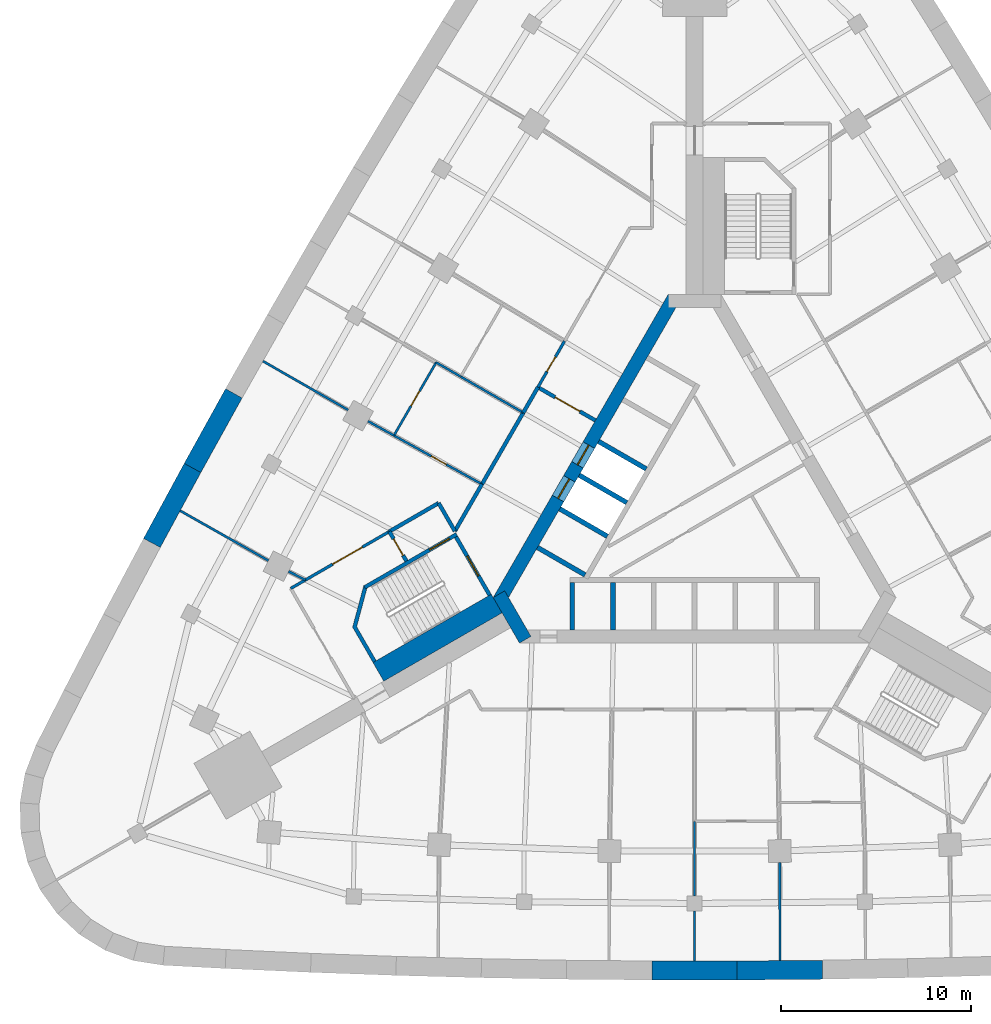
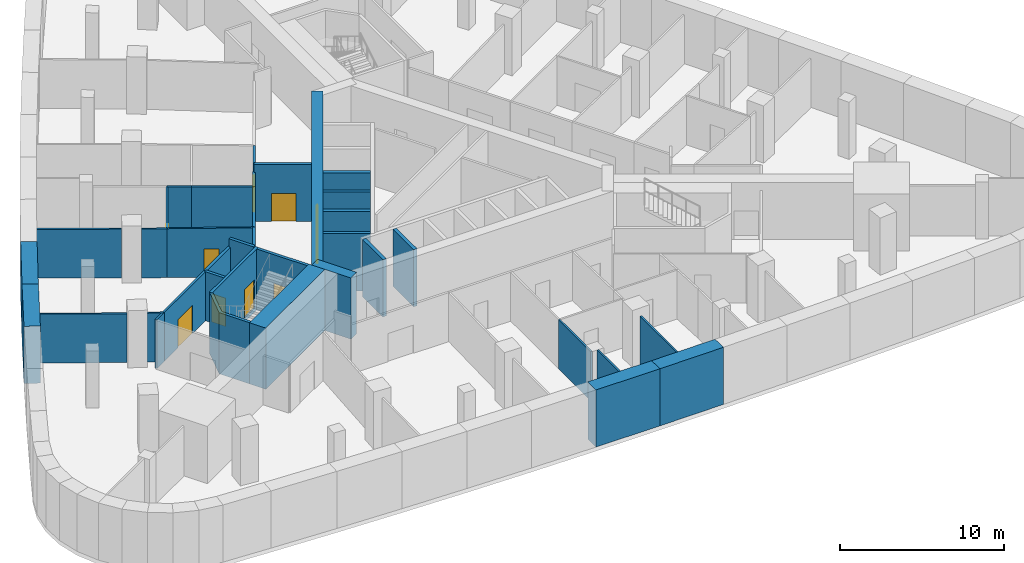
# One storey, part 4 of 9: 37 walls, 10 doors, 10 openings.
"""IFC4 building model written with IfcOpenShell, lengths in metres."""

from ifc_helpers import new_model, si_unit, direction, frame, frame_2d, origin, place, context, subcontext, project, spatial, polyline, rectangle, outline, extrude, material, layer, layer_set, type_object, element, fill, save


model = new_model("IFC4")

# Units and contexts
model_context = context("Model", 3, precision=1e-05, world=origin(), true_north=direction((0.0, 1.0)))
body_context = subcontext(model_context, "Body", "Model", "MODEL_VIEW")
ifc_project = project(units=[si_unit("LENGTHUNIT", "METRE"), si_unit("AREAUNIT", "SQUARE_METRE"), si_unit("VOLUMEUNIT", "CUBIC_METRE"), si_unit("PLANEANGLEUNIT", "RADIAN"), si_unit("MASSUNIT", "GRAM", prefix="KILO")], contexts=[model_context])

# Site, building, storey
site_placement = place(None, origin())
site = spatial("IfcSite", under=ifc_project, at=site_placement, CompositionType="ELEMENT")
building_placement = place(site_placement, origin())
building = spatial("IfcBuilding", under=site, at=building_placement, Name="Noor Cloister Tower", CompositionType="ELEMENT")
storey_placement = place(building_placement, frame((0.0, 0.0, -4.5)))
storey = spatial("IfcBuildingStorey", under=building, at=storey_placement, Name="B1", CompositionType="ELEMENT", Elevation=-4.5)

# Wall, openings, doors
ifc_material_1 = material(Name="Concrete C80/95", Category="concrete")
ifc_layer_1 = layer(ifc_material_1, 0.699951171875)
ifc_layer_set_1 = layer_set([ifc_layer_1], Name="Core wall 700 C80/95")
wall_type_1 = type_object("IfcWallType", Name="Core wall 700 C80/95", PredefinedType="SHEAR", material=ifc_layer_set_1)
wall_1_placement = place(storey_placement, frame((-1.08251953125, 11.281494140625, -0.300048828125), z_axis=(0.0, 0.0, 1.0), x_axis=(-0.500001446645, -0.866024568562, 0.0)))
wall_1 = element("IfcWall", 1, at=wall_1_placement, inside=storey, type_object=wall_type_1, Name="Core wall B1 5", PredefinedType="SHEAR", context=body_context, shape_type="SweptSolid", body=[
    extrude(rectangle(XDim=18.45751953125, YDim=0.699951171875, at=frame_2d((9.228759765625, 0.0))), origin(), (0.0, 0.0, 1.0), 4.550048828125),
])
opening_1_placement = place(wall_1_placement, frame((8.978759765625, 0.0, 0.300048828125)))
opening_1 = element("IfcOpeningElement", 2, at=opening_1_placement, cuts=wall_1, Name="Opening B1-FF1", PredefinedType="OPENING", context=body_context, shape_type="SweptSolid", body=[
    extrude(rectangle(XDim=1.199951171875, YDim=2.10009765625, at=frame_2d((0.60009765625, 1.050048828125))), frame((0.0, 0.35986328125, 0.0), z_axis=(0.0, -1.0, 0.0), x_axis=(1.0, 0.0, 0.0)), (0.0, 0.0, 1.0), 0.719970703125),
])
opening_2_placement = place(wall_1_placement, frame((11.02880859375, 0.0, 0.300048828125)))
opening_2 = element("IfcOpeningElement", 3, at=opening_2_placement, cuts=wall_1, Name="Opening B1-FF2", PredefinedType="OPENING", context=body_context, shape_type="SweptSolid", body=[
    extrude(rectangle(XDim=1.199951171875, YDim=2.10009765625, at=frame_2d((0.60009765625, 1.050048828125))), frame((0.0, 0.35986328125, 0.0), z_axis=(0.0, -1.0, 0.0), x_axis=(1.0, 0.0, 0.0)), (0.0, 0.0, 1.0), 0.719970703125),
])
ifc_material_2 = material(Name="Stainless steel", Category="steel")
door_type_1 = type_object("IfcDoorType", Name="Lift landing door 1200 x 2100", OperationType="DOUBLE_DOOR_SLIDING", PredefinedType="DOOR", material=ifc_material_2)
door_1_placement = place(opening_1_placement, origin())
door_1 = element("IfcDoor", 4, at=door_1_placement, inside=storey, type_object=door_type_1, Name="Landing door FF1 B1", OperationType="DOUBLE_DOOR_SLIDING", OverallHeight=2.10009765625, OverallWidth=1.199951171875, PredefinedType="DOOR", context=body_context, shape_type="SweptSolid", body=[
    extrude(rectangle(XDim=1.199951171875, YDim=2.10009765625, at=frame_2d((0.60009765625, 1.050048828125))), frame((0.0, 0.02490234375, 0.0), z_axis=(0.0, -1.0, 0.0), x_axis=(1.0, 0.0, 0.0)), (0.0, 0.0, 1.0), 0.050048828125),
])
fill(opening_1, door_1)
door_2_placement = place(opening_2_placement, origin())
door_2 = element("IfcDoor", 5, at=door_2_placement, inside=storey, type_object=door_type_1, Name="Landing door FF2 B1", OperationType="DOUBLE_DOOR_SLIDING", OverallHeight=2.10009765625, OverallWidth=1.199951171875, PredefinedType="DOOR", context=body_context, shape_type="SweptSolid", body=[
    extrude(rectangle(XDim=1.199951171875, YDim=2.10009765625, at=frame_2d((0.60009765625, 1.050048828125))), frame((0.0, 0.02490234375, 0.0), z_axis=(0.0, -1.0, 0.0), x_axis=(1.0, 0.0, 0.0)), (0.0, 0.0, 1.0), 0.050048828125),
])
fill(opening_2, door_2)

# Walls
wall_2_placement = place(storey_placement, frame((-10.311279296875, -4.353271484375, -0.300048828125), z_axis=(0.0, 0.0, 1.0), x_axis=(0.500042739161, -0.866000726912, 0.0)))
element("IfcWall", 6, at=wall_2_placement, inside=storey, type_object=wall_type_1, Name="Core wall B1 6", PredefinedType="SHEAR", context=body_context, shape_type="SweptSolid", body=[
    extrude(rectangle(XDim=2.771240234375, YDim=0.699951171875, at=frame_2d((1.3857421875, 0.0))), origin(), (0.0, 0.0, 1.0), 4.550048828125),
])
ifc_material_3 = material(Name="Plasterboard on steel studs", Category="steel")
ifc_layer_2 = layer(ifc_material_3, 0.14990234375)
ifc_layer_set_2 = layer_set([ifc_layer_2], Name="Corridor wall 150")
wall_type_2 = type_object("IfcWallType", Name="Corridor wall 150", PredefinedType="PARTITIONING", material=ifc_layer_set_2)
wall_3_placement = place(storey_placement, frame((-21.282958984375, -4.048095703125, 0.0), z_axis=(0.0, 0.0, 1.0), x_axis=(0.865804825377, 0.500381858538, 0.0)))
element("IfcWall", 7, at=wall_3_placement, inside=storey, type_object=wall_type_2, Name="Partition", PredefinedType="PARTITIONING", context=body_context, shape_type="SweptSolid", body=[
    extrude(rectangle(XDim=0.897216796875, YDim=0.14990234375, at=frame_2d((0.44873046875, 0.0))), origin(), (0.0, 0.0, 1.0), 3.637939453125),
])

# Wall, opening, door
wall_4_placement = place(storey_placement, frame((-16.0869140625, -1.049072265625, 0.0), z_axis=(0.0, 0.0, 1.0), x_axis=(-0.866071706002, -0.49991979363, 0.0)))
wall_4 = element("IfcWall", 8, at=wall_4_placement, inside=storey, type_object=wall_type_2, Name="Partition", PredefinedType="PARTITIONING", context=body_context, shape_type="SweptSolid", body=[
    extrude(rectangle(XDim=5.104736328125, YDim=0.14990234375, at=frame_2d((2.55224609375, 0.0))), origin(), (0.0, 0.0, 1.0), 3.637939453125),
])
opening_3_placement = place(wall_4_placement, frame((1.64990234375, 0.0, 0.0)))
opening_3 = element("IfcOpeningElement", 9, at=opening_3_placement, cuts=wall_4, Name="Opening B1-014", PredefinedType="OPENING", context=body_context, shape_type="SweptSolid", body=[
    extrude(rectangle(XDim=1.800048828125, YDim=2.10009765625, at=frame_2d((0.89990234375, 1.050048828125))), frame((0.0, 0.0849609375, 0.0), z_axis=(0.0, -1.0, 0.0), x_axis=(1.0, 0.0, 0.0)), (0.0, 0.0, 1.0), 0.169921875),
])
ifc_material_4 = material(Name="Timber door leaf", Category="wood")
door_type_2 = type_object("IfcDoorType", Name="Double leaf door 1800", OperationType="DOUBLE_DOOR_SINGLE_SWING", PredefinedType="DOOR", material=ifc_material_4)
door_3_placement = place(opening_3_placement, origin())
door_3 = element("IfcDoor", 10, at=door_3_placement, inside=storey, type_object=door_type_2, Name="Door B1-014", OperationType="DOUBLE_DOOR_SINGLE_SWING", OverallHeight=2.10009765625, OverallWidth=1.800048828125, PredefinedType="DOOR", context=body_context, shape_type="SweptSolid", body=[
    extrude(rectangle(XDim=1.800048828125, YDim=2.10009765625, at=frame_2d((0.89990234375, 1.050048828125))), frame((0.0, 0.02490234375, 0.0), z_axis=(0.0, -1.0, 0.0), x_axis=(1.0, 0.0, 0.0)), (0.0, 0.0, 1.0), 0.050048828125),
])
fill(opening_3, door_3)

wall_5_placement = place(storey_placement, frame((-8.256103515625, 6.55810546875, 0.0), z_axis=(0.0, 0.0, 1.0), x_axis=(0.500081734942, 0.86597820895, 0.0)))
wall_5 = element("IfcWall", 11, at=wall_5_placement, inside=storey, type_object=wall_type_2, Name="Partition", PredefinedType="PARTITIONING", context=body_context, shape_type="SweptSolid", body=[
    extrude(rectangle(XDim=2.8037109375, YDim=0.14990234375, at=frame_2d((1.40185546875, 0.0))), origin(), (0.0, 0.0, 1.0), 3.637939453125),
])
opening_4_placement = place(wall_5_placement, frame((0.949951171875, 0.0, 0.0)))
opening_4 = element("IfcOpeningElement", 12, at=opening_4_placement, cuts=wall_5, Name="Opening B1-019", PredefinedType="OPENING", context=body_context, shape_type="SweptSolid", body=[
    extrude(rectangle(XDim=0.89990234375, YDim=2.10009765625, at=frame_2d((0.449951171875, 1.050048828125))), frame((0.0, 0.0849609375, 0.0), z_axis=(0.0, -1.0, 0.0), x_axis=(1.0, 0.0, 0.0)), (0.0, 0.0, 1.0), 0.169921875),
])
ifc_material_5 = material(Name="Timber door leaf", Category="wood")
door_type_3 = type_object("IfcDoorType", Name="Service room door 900", OperationType="SINGLE_SWING_LEFT", PredefinedType="DOOR", material=ifc_material_5)
door_4_placement = place(opening_4_placement, origin())
door_4 = element("IfcDoor", 13, at=door_4_placement, inside=storey, type_object=door_type_3, Name="Door B1-019", OperationType="SINGLE_SWING_LEFT", OverallHeight=2.10009765625, OverallWidth=0.89990234375, PredefinedType="DOOR", context=body_context, shape_type="SweptSolid", body=[
    extrude(rectangle(XDim=0.89990234375, YDim=2.10009765625, at=frame_2d((0.449951171875, 1.050048828125))), frame((0.0, 0.02490234375, 0.0), z_axis=(0.0, -1.0, 0.0), x_axis=(1.0, 0.0, 0.0)), (0.0, 0.0, 1.0), 0.050048828125),
])
fill(opening_4, door_4)

# Walls
ifc_material_6 = material(Name="Concrete C50/60", Category="concrete")
ifc_layer_3 = layer(ifc_material_6, 1.0)
ifc_layer_set_3 = layer_set([ifc_layer_3], Name="Diaphragm wall 1000")
wall_type_3 = type_object("IfcWallType", Name="Diaphragm wall 1000", PredefinedType="SOLIDWALL", material=ifc_layer_set_3)
wall_6_placement = place(storey_placement, origin())
element("IfcWall", 14, at=wall_6_placement, inside=storey, type_object=wall_type_3, Name="Basement wall 19", PredefinedType="SOLIDWALL", context=body_context, shape_type="SweptSolid", body=[
    extrude(outline(polyline([(-24.72119140625, 6.478759765625), (-26.900634765625, 2.541748046875), (-26.023681640625, 2.0615234375), (-23.848388671875, 5.990478515625), (-24.72119140625, 6.478759765625)])), origin(), (0.0, 0.0, 1.0), 4.25),
])
wall_7_placement = place(storey_placement, origin())
element("IfcWall", 15, at=wall_7_placement, inside=storey, type_object=wall_type_3, Name="Basement wall 20", PredefinedType="SOLIDWALL", context=body_context, shape_type="SweptSolid", body=[
    extrude(outline(polyline([(-26.900634765625, 2.541748046875), (-29.044921875, -1.41455078125), (-28.16357421875, -1.886962890625), (-26.023681640625, 2.0615234375), (-26.900634765625, 2.541748046875)])), origin(), (0.0, 0.0, 1.0), 4.25),
])
wall_8_placement = place(storey_placement, origin())
element("IfcWall", 16, at=wall_8_placement, inside=storey, type_object=wall_type_3, Name="Basement wall 40", PredefinedType="SOLIDWALL", context=body_context, shape_type="SweptSolid", body=[
    extrude(outline(polyline([(-2.25, -24.68896484375), (2.25, -24.68896484375), (2.24560546875, -23.68896484375), (-2.24560546875, -23.68896484375), (-2.25, -24.68896484375)])), origin(), (0.0, 0.0, 1.0), 4.25),
])
wall_9_placement = place(storey_placement, origin())
element("IfcWall", 17, at=wall_9_placement, inside=storey, type_object=wall_type_3, Name="Basement wall 41", PredefinedType="SOLIDWALL", context=body_context, shape_type="SweptSolid", body=[
    extrude(outline(polyline([(2.25, -24.68896484375), (6.749755859375, -24.6484375), (6.736328125, -23.648681640625), (2.24560546875, -23.68896484375), (2.25, -24.68896484375)])), origin(), (0.0, 0.0, 1.0), 4.25),
])

# Wall, opening, door
ifc_material_7 = material(Name="Reinforced blockwork", Category="masonry")
ifc_layer_4 = layer(ifc_material_7, 0.199951171875)
ifc_layer_set_4 = layer_set([ifc_layer_4], Name="Fire rated block wall 200")
wall_type_4 = type_object("IfcWallType", Name="Fire rated block wall 200", PredefinedType="PARTITIONING", material=ifc_layer_set_4)
wall_10_placement = place(storey_placement, frame((-15.18798828125, -2.60693359375, 0.0), z_axis=(0.0, 0.0, 1.0), x_axis=(-0.500024172624, 0.866011447264, 0.0)))
wall_10 = element("IfcWall", 18, at=wall_10_placement, inside=storey, type_object=wall_type_4, Name="Fire rated wall", PredefinedType="PARTITIONING", context=body_context, shape_type="SweptSolid", body=[
    extrude(rectangle(XDim=1.7978515625, YDim=0.199951171875, at=frame_2d((0.89892578125, 0.0))), origin(), (0.0, 0.0, 1.0), 3.637939453125),
])
opening_5_placement = place(wall_10_placement, frame((0.35009765625, 0.0, 0.0)))
opening_5 = element("IfcOpeningElement", 19, at=opening_5_placement, cuts=wall_10, Name="Opening B1-027", PredefinedType="OPENING", context=body_context, shape_type="SweptSolid", body=[
    extrude(rectangle(XDim=1.0, YDim=2.10009765625, at=frame_2d((0.5, 1.050048828125))), frame((0.0, 0.10986328125, 0.0), z_axis=(0.0, -1.0, 0.0), x_axis=(1.0, 0.0, 0.0)), (0.0, 0.0, 1.0), 0.219970703125),
])
ifc_material_8 = material(Name="Steel fire door", Category="steel")
door_type_4 = type_object("IfcDoorType", Name="Fire door FD60 1000", OperationType="SINGLE_SWING_LEFT", PredefinedType="DOOR", material=ifc_material_8)
door_5_placement = place(opening_5_placement, origin())
door_5 = element("IfcDoor", 20, at=door_5_placement, inside=storey, type_object=door_type_4, Name="Door B1-027", OperationType="SINGLE_SWING_LEFT", OverallHeight=2.10009765625, OverallWidth=1.0, PredefinedType="DOOR", context=body_context, shape_type="SweptSolid", body=[
    extrude(rectangle(XDim=1.0, YDim=2.10009765625, at=frame_2d((0.5, 1.050048828125))), frame((0.0, 0.02490234375, 0.0), z_axis=(0.0, -1.0, 0.0), x_axis=(1.0, 0.0, 0.0)), (0.0, 0.0, 1.0), 0.050048828125),
])
fill(opening_5, door_5)

# Walls
wall_11_placement = place(storey_placement, frame((-16.0869140625, -1.048095703125, 0.0), z_axis=(0.0, 0.0, 1.0), x_axis=(0.865988915629, 0.500063194015, 0.0)))
element("IfcWall", 21, at=wall_11_placement, inside=storey, type_object=wall_type_4, Name="Fire rated wall", PredefinedType="PARTITIONING", context=body_context, shape_type="SweptSolid", body=[
    extrude(rectangle(XDim=2.99755859375, YDim=0.199951171875, at=frame_2d((1.498779296875, 0.0))), origin(), (0.0, 0.0, 1.0), 3.637939453125),
])
wall_12_placement = place(storey_placement, frame((-13.489013671875, 0.450927734375, 0.0), z_axis=(0.0, 0.0, 1.0), x_axis=(0.500044178772, -0.865999895656, 0.0)))
element("IfcWall", 22, at=wall_12_placement, inside=storey, type_object=wall_type_4, Name="Fire rated wall", PredefinedType="PARTITIONING", context=body_context, shape_type="SweptSolid", body=[
    extrude(rectangle(XDim=1.707763671875, YDim=0.199951171875, at=frame_2d((0.85400390625, 0.0))), origin(), (0.0, 0.0, 1.0), 4.25),
])
wall_13_placement = place(storey_placement, frame((-12.635009765625, -1.028076171875, 0.0), z_axis=(0.0, 0.0, 1.0), x_axis=(0.50005725472, 0.865992345233, 0.0)))
element("IfcWall", 23, at=wall_13_placement, inside=storey, type_object=wall_type_4, Name="Fire rated wall", PredefinedType="PARTITIONING", context=body_context, shape_type="SweptSolid", body=[
    extrude(rectangle(XDim=2.861572265625, YDim=0.199951171875, at=frame_2d((1.4306640625, 0.0))), origin(), (0.0, 0.0, 1.0), 3.637939453125),
])
wall_14_placement = place(storey_placement, frame((-9.031005859375, 5.212890625, 0.0), z_axis=(0.0, 0.0, 1.0), x_axis=(-0.500044734646, -0.865999574684, 0.0)))
element("IfcWall", 24, at=wall_14_placement, inside=storey, type_object=wall_type_4, Name="Fire rated wall", PredefinedType="PARTITIONING", context=body_context, shape_type="SweptSolid", body=[
    extrude(rectangle(XDim=4.349609375, YDim=0.199951171875, at=frame_2d((2.1748046875, 0.0))), origin(), (0.0, 0.0, 1.0), 3.637939453125),
])
wall_15_placement = place(storey_placement, frame((-8.256103515625, 6.554931640625, 0.0), z_axis=(0.0, 0.0, 1.0), x_axis=(-0.500177701192, -0.865922783642, 0.0)))
element("IfcWall", 25, at=wall_15_placement, inside=storey, type_object=wall_type_4, Name="Fire rated wall", PredefinedType="PARTITIONING", context=body_context, shape_type="SweptSolid", body=[
    extrude(rectangle(XDim=1.54736328125, YDim=0.199951171875, at=frame_2d((0.773681640625, 0.0))), origin(), (0.0, 0.0, 1.0), 3.637939453125),
])

# Wall, opening, door
wall_16_placement = place(storey_placement, frame((-5.22607421875, 4.805908203125, 0.0), z_axis=(0.0, 0.0, 1.0), x_axis=(-0.865949687125, 0.500131122175, 0.0)))
wall_16 = element("IfcWall", 26, at=wall_16_placement, inside=storey, type_object=wall_type_4, Name="Fire rated wall", PredefinedType="PARTITIONING", context=body_context, shape_type="SweptSolid", body=[
    extrude(rectangle(XDim=3.4990234375, YDim=0.199951171875, at=frame_2d((1.74951171875, 0.0))), origin(), (0.0, 0.0, 1.0), 4.25),
])
opening_6_placement = place(wall_16_placement, frame((0.949951171875, 0.0, 0.0)))
opening_6 = element("IfcOpeningElement", 27, at=opening_6_placement, cuts=wall_16, Name="Opening B1-028", PredefinedType="OPENING", context=body_context, shape_type="SweptSolid", body=[
    extrude(rectangle(XDim=1.5, YDim=2.10009765625, at=frame_2d((0.75, 1.050048828125))), frame((0.0, 0.10986328125, 0.0), z_axis=(0.0, -1.0, 0.0), x_axis=(1.0, 0.0, 0.0)), (0.0, 0.0, 1.0), 0.219970703125),
])
ifc_material_9 = material(Name="Steel fire door", Category="steel")
door_type_5 = type_object("IfcDoorType", Name="Smoke barrier door FD60 1500", OperationType="DOUBLE_DOOR_SINGLE_SWING", PredefinedType="DOOR", material=ifc_material_9)
door_6_placement = place(opening_6_placement, origin())
door_6 = element("IfcDoor", 28, at=door_6_placement, inside=storey, type_object=door_type_5, Name="Door B1-028", OperationType="DOUBLE_DOOR_SINGLE_SWING", OverallHeight=2.10009765625, OverallWidth=1.5, PredefinedType="DOOR", context=body_context, shape_type="SweptSolid", body=[
    extrude(rectangle(XDim=1.5, YDim=2.10009765625, at=frame_2d((0.75, 1.050048828125))), frame((0.0, 0.02490234375, 0.0), z_axis=(0.0, -1.0, 0.0), x_axis=(1.0, 0.0, 0.0)), (0.0, 0.0, 1.0), 0.050048828125),
])
fill(opening_6, door_6)

# Walls
ifc_material_10 = material(Name="Plasterboard on steel studs", Category="steel")
ifc_layer_5 = layer(ifc_material_10, 0.1201171875)
ifc_layer_set_5 = layer_set([ifc_layer_5], Name="Partition wall 120")
wall_type_5 = type_object("IfcWallType", Name="Partition wall 120", PredefinedType="PARTITIONING", material=ifc_layer_set_5)
wall_17_placement = place(storey_placement, frame((4.506103515625, -23.6689453125, 0.0), z_axis=(0.0, 0.0, 1.0), x_axis=(-0.00292382622, 0.999995725611, 0.0)))
element("IfcWall", 29, at=wall_17_placement, inside=storey, type_object=wall_type_5, Name="Partition", PredefinedType="PARTITIONING", context=body_context, shape_type="SweptSolid", body=[
    extrude(rectangle(XDim=5.177001953125, YDim=0.1201171875, at=frame_2d((2.58837890625, 0.0))), origin(), (0.0, 0.0, 1.0), 3.633056640625),
])
wall_18_placement = place(storey_placement, frame((0.0, -21.056884765625, 0.0), z_axis=(0.0, 0.0, 1.0), x_axis=(0.0, -1.0, 0.0)))
element("IfcWall", 30, at=wall_18_placement, inside=storey, type_object=wall_type_5, Name="Partition", PredefinedType="PARTITIONING", context=body_context, shape_type="SweptSolid", body=[
    extrude(rectangle(XDim=2.632080078125, YDim=0.1201171875, at=frame_2d((1.31591796875, 0.0))), origin(), (0.0, 0.0, 1.0), 4.25),
])
wall_19_placement = place(storey_placement, frame((0.0, -16.323974609375, 0.0), z_axis=(0.0, 0.0, 1.0), x_axis=(0.0, -1.0, 0.0)))
element("IfcWall", 31, at=wall_19_placement, inside=storey, type_object=wall_type_5, Name="Partition", PredefinedType="PARTITIONING", context=body_context, shape_type="SweptSolid", body=[
    extrude(rectangle(XDim=3.93310546875, YDim=0.1201171875, at=frame_2d((1.966552734375, 0.0))), origin(), (0.0, 0.0, 1.0), 3.637939453125),
])
wall_20_placement = place(storey_placement, frame((-22.4609375, -2.583984375, 0.0), z_axis=(0.0, 0.0, 1.0), x_axis=(-0.87056283872, 0.492057256668, 0.0)))
element("IfcWall", 32, at=wall_20_placement, inside=storey, type_object=wall_type_5, Name="Partition", PredefinedType="PARTITIONING", context=body_context, shape_type="SweptSolid", body=[
    extrude(rectangle(XDim=5.34716796875, YDim=0.1201171875, at=frame_2d((2.673583984375, 0.0))), origin(), (0.0, 0.0, 1.0), 3.633056640625),
])
wall_21_placement = place(storey_placement, frame((-20.509033203125, -3.60107421875, 0.0), z_axis=(0.0, 0.0, 1.0), x_axis=(-0.892316605155, 0.451410097544, 0.0)))
element("IfcWall", 33, at=wall_21_placement, inside=storey, type_object=wall_type_5, Name="Partition", PredefinedType="PARTITIONING", context=body_context, shape_type="SweptSolid", body=[
    extrude(rectangle(XDim=0.99951171875, YDim=0.1201171875, at=frame_2d((0.499755859375, 0.0))), origin(), (0.0, 0.0, 1.0), 3.637939453125),
])

# Wall, opening, door
wall_22_placement = place(storey_placement, frame((-11.2080078125, 1.446044921875, 0.0), z_axis=(0.0, 0.0, 1.0), x_axis=(-0.875127041283, 0.483893233694, 0.0)))
wall_22 = element("IfcWall", 34, at=wall_22_placement, inside=storey, type_object=wall_type_5, Name="Partition", PredefinedType="PARTITIONING", context=body_context, shape_type="SweptSolid", body=[
    extrude(rectangle(XDim=5.298583984375, YDim=0.1201171875, at=frame_2d((2.6494140625, 0.0))), origin(), (0.0, 0.0, 1.0), 3.637939453125),
])
opening_7_placement = place(wall_22_placement, frame((2.14990234375, 0.0, 0.0)))
opening_7 = element("IfcOpeningElement", 35, at=opening_7_placement, cuts=wall_22, Name="Opening B1-016", PredefinedType="OPENING", context=body_context, shape_type="SweptSolid", body=[
    extrude(rectangle(XDim=0.89990234375, YDim=2.10009765625, at=frame_2d((0.449951171875, 1.050048828125))), frame((0.0, 0.070068359375, 0.0), z_axis=(0.0, -1.0, 0.0), x_axis=(1.0, 0.0, 0.0)), (0.0, 0.0, 1.0), 0.14013671875),
])
door_7_placement = place(opening_7_placement, origin())
door_7 = element("IfcDoor", 36, at=door_7_placement, inside=storey, type_object=door_type_3, Name="Door B1-016", OperationType="SINGLE_SWING_RIGHT", OverallHeight=2.10009765625, OverallWidth=0.89990234375, PredefinedType="DOOR", context=body_context, shape_type="SweptSolid", body=[
    extrude(rectangle(XDim=0.89990234375, YDim=2.10009765625, at=frame_2d((0.449951171875, 1.050048828125))), frame((0.0, 0.02490234375, 0.0), z_axis=(0.0, -1.0, 0.0), x_axis=(1.0, 0.0, 0.0)), (0.0, 0.0, 1.0), 0.050048828125),
])
fill(opening_7, door_7)

# Walls
wall_23_placement = place(storey_placement, frame((-18.260009765625, 5.35595703125, 0.0), z_axis=(0.0, 0.0, 1.0), x_axis=(-0.867438170848, 0.497544992695, 0.0)))
element("IfcWall", 37, at=wall_23_placement, inside=storey, type_object=wall_type_5, Name="Partition", PredefinedType="PARTITIONING", context=body_context, shape_type="SweptSolid", body=[
    extrude(rectangle(XDim=5.17724609375, YDim=0.1201171875, at=frame_2d((2.588623046875, 0.0))), origin(), (0.0, 0.0, 1.0), 3.633056640625),
])
wall_24_placement = place(storey_placement, frame((-15.847900390625, 4.011962890625, 0.0), z_axis=(0.0, 0.0, 1.0), x_axis=(-0.87521017078, 0.483742862442, 0.0)))
element("IfcWall", 38, at=wall_24_placement, inside=storey, type_object=wall_type_5, Name="Partition", PredefinedType="PARTITIONING", context=body_context, shape_type="SweptSolid", body=[
    extrude(rectangle(XDim=1.56103515625, YDim=0.1201171875, at=frame_2d((0.780517578125, 0.0))), origin(), (0.0, 0.0, 1.0), 3.637939453125),
])

# Wall, opening, door
wall_25_placement = place(storey_placement, frame((-13.62109375, 7.863037109375, 0.0), z_axis=(0.0, 0.0, 1.0), x_axis=(-0.500241930066, -0.865885680332, 0.0)))
wall_25 = element("IfcWall", 39, at=wall_25_placement, inside=storey, type_object=wall_type_5, Name="Partition", PredefinedType="PARTITIONING", context=body_context, shape_type="SweptSolid", body=[
    extrude(rectangle(XDim=4.447509765625, YDim=0.1201171875, at=frame_2d((2.2236328125, 0.0))), origin(), (0.0, 0.0, 1.0), 3.637939453125),
])
opening_8_placement = place(wall_25_placement, frame((1.75, 0.0, 0.0)))
opening_8 = element("IfcOpeningElement", 40, at=opening_8_placement, cuts=wall_25, Name="Opening B1-018", PredefinedType="OPENING", context=body_context, shape_type="SweptSolid", body=[
    extrude(rectangle(XDim=0.89990234375, YDim=2.10009765625, at=frame_2d((0.449951171875, 1.050048828125))), frame((0.0, 0.070068359375, 0.0), z_axis=(0.0, -1.0, 0.0), x_axis=(1.0, 0.0, 0.0)), (0.0, 0.0, 1.0), 0.14013671875),
])
door_8_placement = place(opening_8_placement, origin())
door_8 = element("IfcDoor", 41, at=door_8_placement, inside=storey, type_object=door_type_3, Name="Door B1-018", OperationType="SINGLE_SWING_RIGHT", OverallHeight=2.10009765625, OverallWidth=0.89990234375, PredefinedType="DOOR", context=body_context, shape_type="SweptSolid", body=[
    extrude(rectangle(XDim=0.89990234375, YDim=2.10009765625, at=frame_2d((0.449951171875, 1.050048828125))), frame((0.0, 0.02490234375, 0.0), z_axis=(0.0, -1.0, 0.0), x_axis=(1.0, 0.0, 0.0)), (0.0, 0.0, 1.0), 0.050048828125),
])
fill(opening_8, door_8)

# Walls
wall_26_placement = place(storey_placement, frame((-9.031982421875, 5.215087890625, 0.0), z_axis=(0.0, 0.0, 1.0), x_axis=(-0.866138487245, 0.49980408253, 0.0)))
element("IfcWall", 42, at=wall_26_placement, inside=storey, type_object=wall_type_5, Name="Partition", PredefinedType="PARTITIONING", context=body_context, shape_type="SweptSolid", body=[
    extrude(rectangle(XDim=3.79736328125, YDim=0.1201171875, at=frame_2d((1.898681640625, 0.0))), origin(), (0.0, 0.0, 1.0), 3.637939453125),
])
wall_27_placement = place(storey_placement, frame((-12.323974609375, 7.114990234375, 0.0), z_axis=(0.0, 0.0, 1.0), x_axis=(-0.865912029007, 0.500196319479, 0.0)))
element("IfcWall", 43, at=wall_27_placement, inside=storey, type_object=wall_type_5, Name="Partition", PredefinedType="PARTITIONING", context=body_context, shape_type="SweptSolid", body=[
    extrude(rectangle(XDim=1.50146484375, YDim=0.1201171875, at=frame_2d((0.750732421875, 0.0))), origin(), (0.0, 0.0, 1.0), 3.637939453125),
])
ifc_material_11 = material(Name="Concrete C80/95", Category="concrete")
ifc_layer_6 = layer(ifc_material_11, 0.25)
ifc_layer_set_6 = layer_set([ifc_layer_6], Name="Shaft wall 250 C80/95")
wall_type_6 = type_object("IfcWallType", Name="Shaft wall 250 C80/95", PredefinedType="PARTITIONING", material=ifc_layer_set_6)
for number, where, z_axis, x_axis, name in (
    (44, (-6.449951171875, -6.228271484375, 0.0), (0.0, 0.0, 1.0), (0.0, 1.0, 0.0), "Lift shaft wall B1 S 1"),
    (45, (-4.300048828125, -6.228271484375, 0.0), (0.0, 0.0, 1.0), (0.0, 1.0, 0.0), "Lift shaft wall B1 S 2"),
):
    element("IfcWall", number, at=place(storey_placement, frame(where, z_axis=z_axis, x_axis=x_axis)), inside=storey, type_object=wall_type_6, Name=name, PredefinedType="PARTITIONING", context=body_context, shape_type="SweptSolid", body=[
        extrude(rectangle(XDim=2.5, YDim=0.25, at=frame_2d((1.25, 0.0))), origin(), (0.0, 0.0, 1.0), 4.25),
    ])
for number, where, z_axis, x_axis, name in (
    (46, (-5.056396484375, 3.69873046875, -0.300048828125), (0.0, 0.0, 1.0), (0.866032775405, -0.499987231761, 0.0), "Lift shaft wall B1 NW 3"),
    (47, (-6.081298828125, 1.92333984375, -0.300048828125), (0.0, 0.0, 1.0), (0.866032775405, -0.499987231761, 0.0), "Lift shaft wall B1 NW 4"),
    (48, (-7.106201171875, 0.14794921875, -0.300048828125), (0.0, 0.0, 1.0), (0.866032775405, -0.499987231761, 0.0), "Lift shaft wall B1 NW 5"),
):
    element("IfcWall", number, at=place(storey_placement, frame(where, z_axis=z_axis, x_axis=x_axis)), inside=storey, type_object=wall_type_6, Name=name, PredefinedType="PARTITIONING", context=body_context, shape_type="SweptSolid", body=[
        extrude(rectangle(XDim=2.89990234375, YDim=0.25, at=frame_2d((1.449951171875, 0.0))), origin(), (0.0, 0.0, 1.0), 4.550048828125),
    ])
wall_28_placement = place(storey_placement, frame((-8.28125, -1.88720703125, 0.0), z_axis=(0.0, 0.0, 1.0), x_axis=(0.866032775405, -0.499987231761, 0.0)))
element("IfcWall", 49, at=wall_28_placement, inside=storey, type_object=wall_type_6, Name="Lift shaft wall B1 NW 6", PredefinedType="PARTITIONING", context=body_context, shape_type="SweptSolid", body=[
    extrude(rectangle(XDim=2.89990234375, YDim=0.25, at=frame_2d((1.449951171875, 0.0))), origin(), (0.0, 0.0, 1.0), 4.25),
])
ifc_material_12 = material(Name="Concrete C80/95", Category="concrete")
ifc_layer_7 = layer(ifc_material_12, 1.135986328125)
ifc_layer_set_7 = layer_set([ifc_layer_7], Name="Stair enclosure wall 1136 C80/95")
wall_type_7 = type_object("IfcWallType", Name="Stair enclosure wall 1136 C80/95", PredefinedType="SHEAR", material=ifc_layer_set_7)
wall_29_placement = place(storey_placement, frame((-10.430419921875, -4.8466796875, -0.300048828125), z_axis=(0.0, 0.0, 1.0), x_axis=(-0.866018442252, -0.500012057535, 0.0)))
element("IfcWall", 50, at=wall_29_placement, inside=storey, type_object=wall_type_7, Name="Stair enclosure wall ST2 B1 riser side", PredefinedType="SHEAR", context=body_context, shape_type="SweptSolid", body=[
    extrude(rectangle(XDim=7.199951171875, YDim=1.1357421875, at=frame_2d((3.60009765625, 0.0))), origin(), (0.0, 0.0, 1.0), 4.550048828125),
])

# Wall, opening, door
ifc_material_13 = material(Name="Concrete C80/95", Category="concrete")
ifc_layer_8 = layer(ifc_material_13, 0.199951171875)
ifc_layer_set_8 = layer_set([ifc_layer_8], Name="Stair enclosure wall 200 C80/95")
wall_type_8 = type_object("IfcWallType", Name="Stair enclosure wall 200 C80/95", PredefinedType="SHEAR", material=ifc_layer_set_8)
wall_30_placement = place(storey_placement, frame((-12.575927734375, -1.33056640625, -0.300048828125), z_axis=(0.0, 0.0, 1.0), x_axis=(0.499970499736, -0.8660424351, 0.0)))
wall_30 = element("IfcWall", 51, at=wall_30_placement, inside=storey, type_object=wall_type_8, Name="Stair enclosure wall ST2 B1 near end", PredefinedType="SHEAR", context=body_context, shape_type="SweptSolid", body=[
    extrude(rectangle(XDim=3.550048828125, YDim=0.199951171875, at=frame_2d((1.77490234375, 0.0))), origin(), (0.0, 0.0, 1.0), 4.550048828125),
])
opening_9_placement = place(wall_30_placement, frame((1.175048828125, 0.0, 0.300048828125)))
opening_9 = element("IfcOpeningElement", 52, at=opening_9_placement, cuts=wall_30, Name="Opening B1-ST2L", PredefinedType="OPENING", context=body_context, shape_type="SweptSolid", body=[
    extrude(rectangle(XDim=1.199951171875, YDim=2.10009765625, at=frame_2d((0.60009765625, 1.050048828125))), frame((0.0, 0.10986328125, 0.0), z_axis=(0.0, -1.0, 0.0), x_axis=(1.0, 0.0, 0.0)), (0.0, 0.0, 1.0), 0.219970703125),
])
ifc_material_14 = material(Name="Steel", Category="steel")
door_type_6 = type_object("IfcDoorType", Name="Stair door 1200 x 2100 FD120", OperationType="SINGLE_SWING_LEFT", PredefinedType="DOOR", material=ifc_material_14)
door_9_placement = place(opening_9_placement, origin())
door_9 = element("IfcDoor", 53, at=door_9_placement, inside=storey, type_object=door_type_6, Name="Stair door ST2 B1", OperationType="SINGLE_SWING_RIGHT", OverallHeight=2.10009765625, OverallWidth=1.199951171875, PredefinedType="DOOR", context=body_context, shape_type="SweptSolid", body=[
    extrude(rectangle(XDim=1.199951171875, YDim=2.10009765625, at=frame_2d((0.60009765625, 1.050048828125))), frame((0.0, 0.02490234375, 0.0), z_axis=(0.0, -1.0, 0.0), x_axis=(1.0, 0.0, 0.0)), (0.0, 0.0, 1.0), 0.050048828125),
])
fill(opening_9, door_9)

wall_31_placement = place(storey_placement, frame((-12.539306640625, -1.194091796875, -0.300048828125), z_axis=(0.0, 0.0, 1.0), x_axis=(-0.866045472092, -0.499965239061, 0.0)))
wall_31 = element("IfcWall", 54, at=wall_31_placement, inside=storey, type_object=wall_type_8, Name="Stair enclosure wall ST2 B1 outer side", PredefinedType="SHEAR", context=body_context, shape_type="SweptSolid", body=[
    extrude(rectangle(XDim=5.60009765625, YDim=0.199951171875, at=frame_2d((2.800048828125, 0.0))), origin(), (0.0, 0.0, 1.0), 4.550048828125),
])
opening_10_placement = place(wall_31_placement, frame((0.449951171875, 0.0, 0.300048828125)))
opening_10 = element("IfcOpeningElement", 55, at=opening_10_placement, cuts=wall_31, Name="Opening B1-ST2C", PredefinedType="OPENING", context=body_context, shape_type="SweptSolid", body=[
    extrude(rectangle(XDim=1.199951171875, YDim=2.10009765625, at=frame_2d((0.60009765625, 1.050048828125))), frame((0.0, 0.10986328125, 0.0), z_axis=(0.0, -1.0, 0.0), x_axis=(1.0, 0.0, 0.0)), (0.0, 0.0, 1.0), 0.219970703125),
])
door_10_placement = place(opening_10_placement, origin())
door_10 = element("IfcDoor", 56, at=door_10_placement, inside=storey, type_object=door_type_6, Name="Stair door ST2 B1", OperationType="SINGLE_SWING_LEFT", OverallHeight=2.10009765625, OverallWidth=1.199951171875, PredefinedType="DOOR", context=body_context, shape_type="SweptSolid", body=[
    extrude(rectangle(XDim=1.199951171875, YDim=2.10009765625, at=frame_2d((0.60009765625, 1.050048828125))), frame((0.0, 0.02490234375, 0.0), z_axis=(0.0, -1.0, 0.0), x_axis=(1.0, 0.0, 0.0)), (0.0, 0.0, 1.0), 0.050048828125),
])
fill(opening_10, door_10)

# Wall
ifc_material_15 = material(Name="Concrete C80/95", Category="concrete")
wall_type_9 = type_object("IfcWallType", Name="Stair far end wall C80/95", PredefinedType="SHEAR", material=ifc_material_15)
wall_32_placement = place(storey_placement, frame((0.0, 0.0, -0.300048828125)))
element("IfcWall", 57, at=wall_32_placement, inside=storey, type_object=wall_type_9, Name="Stair enclosure wall ST2 B1 far end", PredefinedType="SHEAR", context=body_context, shape_type="SweptSolid", body=[
    extrude(outline(polyline([(-17.439208984375, -3.907470703125), (-18.024658203125, -6.093017578125), (-16.94970703125, -7.955078125), (-16.776611328125, -7.85498046875), (-17.81005859375, -6.064697265625), (-17.267333984375, -4.039306640625), (-17.339111328125, -4.08056640625), (-17.339111328125, -4.08056640625), (-17.339111328125, -4.08056640625), (-17.339111328125, -4.08056640625), (-17.339111328125, -4.08056640625), (-17.339111328125, -4.08056640625), (-17.339111328125, -4.08056640625), (-17.339111328125, -4.08056640625), (-17.339111328125, -4.08056640625), (-17.339111328125, -4.08056640625), (-17.339111328125, -4.08056640625), (-17.339111328125, -4.08056640625), (-17.339111328125, -4.08056640625), (-17.339111328125, -4.08056640625), (-17.339111328125, -4.08056640625), (-17.339111328125, -4.08056640625), (-17.339111328125, -4.08056640625), (-17.439208984375, -3.907470703125)])), origin(), (0.0, 0.0, 1.0), 4.550048828125),
])

save(model, "model.ifc")
